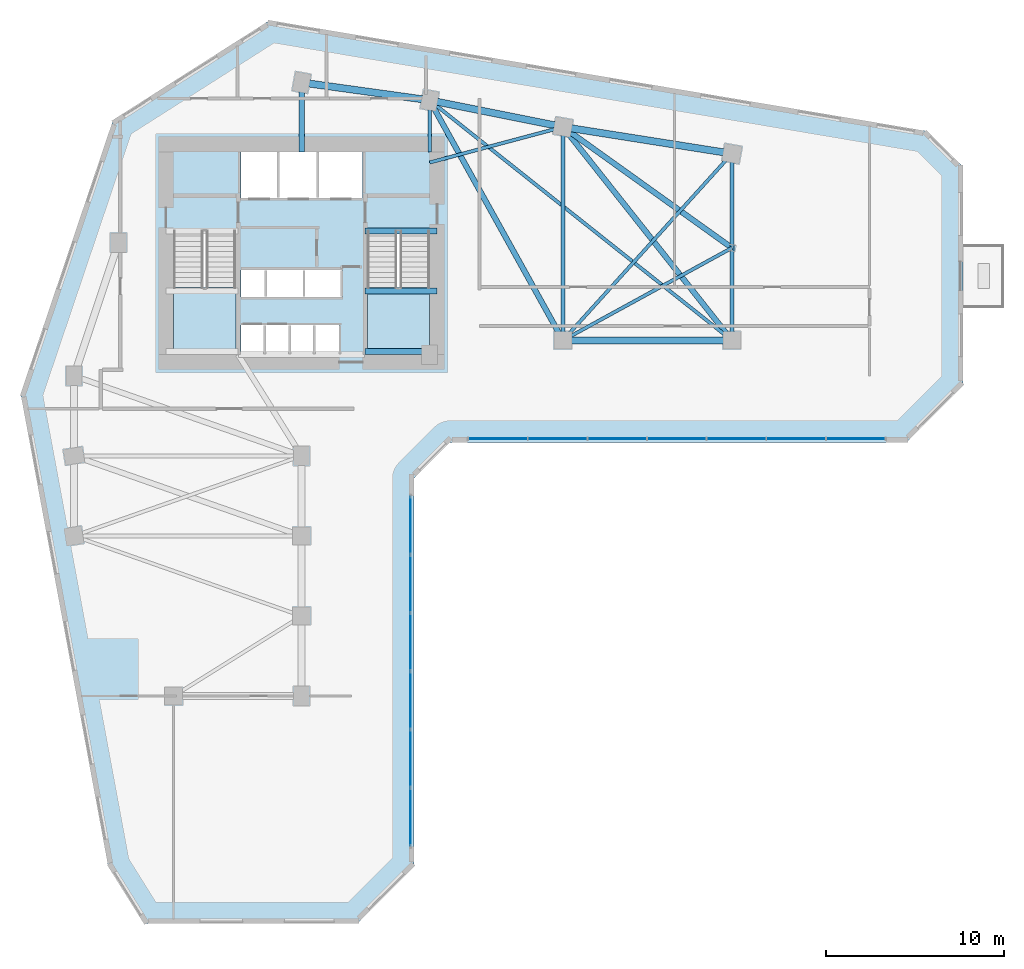
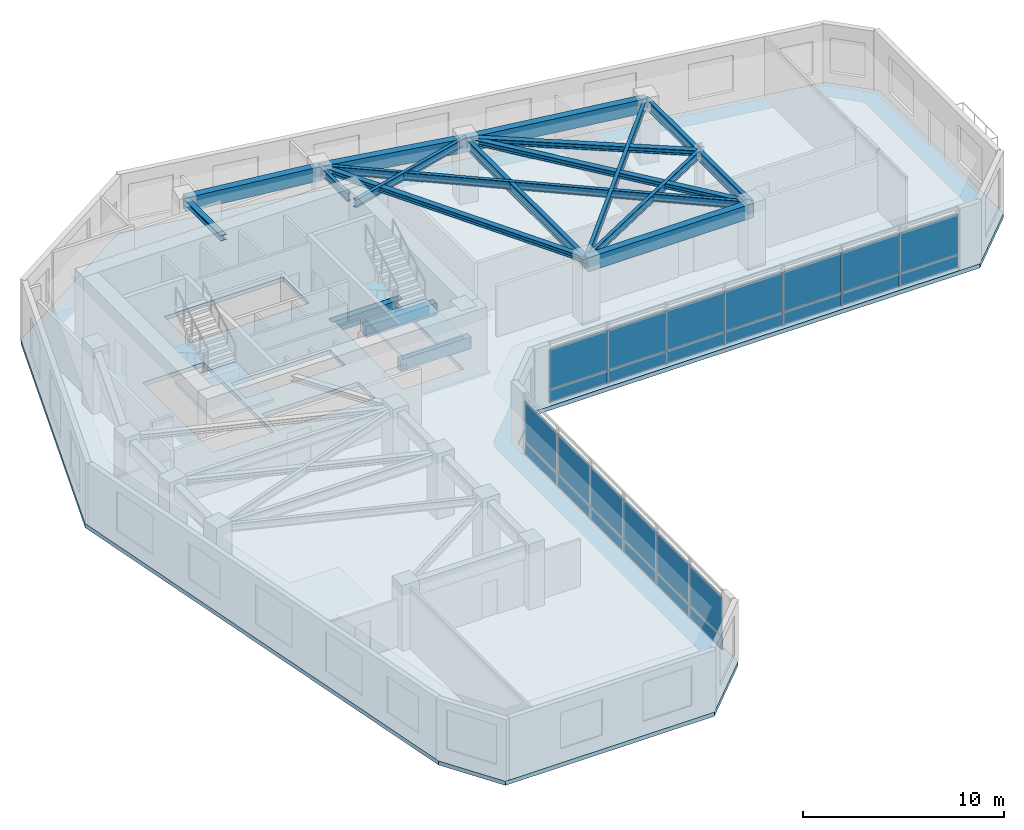
# One storey, part 4 of 11: 26 plates, 18 beams, 3 slabs, 4 elements without a shape of their own.
"""IFC4 building model written with IfcOpenShell, lengths in metres."""

from ifc_helpers import new_model, si_unit, direction, frame, frame_2d, origin, origin_2d, place, context, subcontext, project, spatial, polyline, rectangle, i_section, outline, extrude, source, transform, mapped, material, layer, layer_set, material_profile, profile_set, type_object, element, aggregate, save


model = new_model("IFC4")

# Units and contexts
model_context = context("Model", 3, precision=1e-05, world=origin(), true_north=direction((0.0, 1.0)))
body_context = subcontext(model_context, "Body", "Model", "MODEL_VIEW")
ifc_project = project(units=[si_unit("LENGTHUNIT", "METRE"), si_unit("AREAUNIT", "SQUARE_METRE"), si_unit("VOLUMEUNIT", "CUBIC_METRE"), si_unit("PLANEANGLEUNIT", "RADIAN"), si_unit("MASSUNIT", "GRAM", prefix="KILO")], contexts=[model_context])

# Site, building, storey
site_placement = place(None, origin())
site = spatial("IfcSite", under=ifc_project, at=site_placement, CompositionType="ELEMENT")
building_placement = place(site_placement, origin())
building = spatial("IfcBuilding", under=site, at=building_placement, Name="Calvemar Wedge Station Tower", CompositionType="ELEMENT")
storey_placement = place(building_placement, frame((0.0, 0.0, 31.0)))
storey = spatial("IfcBuildingStorey", under=building, at=storey_placement, Name="L07", CompositionType="ELEMENT", Elevation=31.0)

# Beams
ifc_material_1 = material(Name="Concrete C70", Category="concrete")
ifc_material_profile_1 = material_profile(ifc_material_1, rectangle(XDim=0.35009765625, YDim=0.699951171875, at=origin_2d()), Name="RC350x700")
ifc_profile_set_1 = profile_set([ifc_material_profile_1], Name="Concrete C70")
beam_type_1 = type_object("IfcBeamType", Name="BM-LN1-700", PredefinedType="LINTEL", material=ifc_profile_set_1)
shared_shape_1 = source(origin(), body_context, "Body", "SweptSolid", [
    extrude(rectangle(XDim=0.35009765625, YDim=0.699951171875, at=origin_2d()), origin(), (0.0, 0.0, 1.0), 4.054931640625),
])
for number, where, z_axis, x_axis, name in (
    (1, (27.3701171875, 41.14990234375, -0.35009765625), (1.0, 0.0, 0.0), (0.0, 1.0, 0.0), "Storey L07 Stair ST-C2 Landing Trimmer Beam"),
    (2, (27.3701171875, 34.3798828125, 1.449951171875), (1.0, 0.0, 0.0), (0.0, 1.0, 0.0), "Storey L07 Stair ST-C2 Half-Landing Beam 1A"),
    (3, (27.3701171875, 37.780029296875, 1.449951171875), (1.0, 0.0, 0.0), (0.0, 1.0, 0.0), "Storey L07 Stair ST-C2 Half-Landing Beam 1B"),
):
    element("IfcBeam", number, at=place(storey_placement, frame(where, z_axis=z_axis, x_axis=x_axis)), inside=storey, type_object=beam_type_1, Name=name, PredefinedType="LINTEL", context=body_context, shape_type="MappedRepresentation", body=[
        mapped(shared_shape_1, transform((0.0, 0.0, 0.0), scale=1.0)),
    ])
ifc_material_2 = material(Name="Concrete C60", Category="concrete")
ifc_material_profile_2 = material_profile(ifc_material_2, rectangle(XDim=0.39990234375, YDim=0.85009765625, at=origin_2d()), Name="RC400x850")
ifc_profile_set_2 = profile_set([ifc_material_profile_2], Name="Concrete C60")
beam_type_2 = type_object("IfcBeamType", Name="BM-SP1-850", PredefinedType="SPANDREL", material=ifc_profile_set_2)
shared_shape_2 = source(origin(), body_context, "Body", "SweptSolid", [
    extrude(rectangle(XDim=0.39990234375, YDim=0.85009765625, at=origin_2d()), origin(), (0.0, 0.0, 1.0), 7.26904296875),
])
beam_1_placement = place(storey_placement, frame((23.800048828125, 49.5, 3.324951171875), z_axis=(0.990492146053, -0.13756928657, 0.0), x_axis=(0.13756928657, 0.990492146053, 0.0)))
element("IfcBeam", 4, at=beam_1_placement, inside=storey, type_object=beam_type_2, Name="Storey L07 Spandrel T-N1-T-N2", PredefinedType="SPANDREL", context=body_context, shape_type="MappedRepresentation", body=[
    mapped(shared_shape_2, transform((0.0, 0.0, 0.0), scale=1.0)),
])
shared_shape_3 = source(origin(), body_context, "Body", "SweptSolid", [
    extrude(rectangle(XDim=0.39990234375, YDim=0.85009765625, at=origin_2d()), origin(), (0.0, 0.0, 1.0), 7.6484375),
])
beam_2_placement = place(storey_placement, frame((31.0, 48.5, 3.324951171875), z_axis=(0.980580675691, -0.196116135138, 0.0), x_axis=(0.196116135138, 0.980580675691, 0.0)))
element("IfcBeam", 5, at=beam_2_placement, inside=storey, type_object=beam_type_2, Name="Storey L07 Spandrel T-N2-T-NU3", PredefinedType="SPANDREL", context=body_context, shape_type="MappedRepresentation", body=[
    mapped(shared_shape_3, transform((0.0, 0.0, 0.0), scale=1.0)),
])
shared_shape_4 = source(origin(), body_context, "Body", "SweptSolid", [
    extrude(rectangle(XDim=0.39990234375, YDim=0.85009765625, at=origin_2d()), origin(), (0.0, 0.0, 1.0), 9.61767578125),
])
beam_3_placement = place(storey_placement, frame((38.5, 47.0, 3.324951171875), z_axis=(0.987762965329, -0.155962573473, 0.0), x_axis=(0.155962573473, 0.987762965329, 0.0)))
element("IfcBeam", 6, at=beam_3_placement, inside=storey, type_object=beam_type_2, Name="Storey L07 Spandrel T-NU3-T-NU4", PredefinedType="SPANDREL", context=body_context, shape_type="MappedRepresentation", body=[
    mapped(shared_shape_4, transform((0.0, 0.0, 0.0), scale=1.0)),
])
shared_shape_5 = source(origin(), body_context, "Body", "SweptSolid", [
    extrude(rectangle(XDim=0.39990234375, YDim=0.85009765625, at=origin_2d()), origin(), (0.0, 0.0, 1.0), 9.5),
])
beam_4_placement = place(storey_placement, frame((38.5, 35.0, 3.324951171875), z_axis=(1.0, 0.0, 0.0), x_axis=(0.0, 1.0, 0.0)))
element("IfcBeam", 7, at=beam_4_placement, inside=storey, type_object=beam_type_2, Name="Storey L07 Spandrel T-NL2-T-NL3", PredefinedType="SPANDREL", context=body_context, shape_type="MappedRepresentation", body=[
    mapped(shared_shape_5, transform((0.0, 0.0, 0.0), scale=1.0)),
])
ifc_material_3 = material(Name="Structural steel ASTM A572 Grade 50", Category="steel")
ifc_material_profile_3 = material_profile(ifc_material_3, i_section(OverallWidth=0.22998046875, OverallDepth=0.616943359375, WebThickness=0.01318359375, FlangeThickness=0.022216796875, FilletRadius=0.012939453125, at=origin_2d()), Name="W610x140")
ifc_profile_set_3 = profile_set([ifc_material_profile_3], Name="Structural steel ASTM A572 Grade 50")
beam_type_3 = type_object("IfcBeamType", Name="BM-SB2-W610", PredefinedType="BEAM", material=ifc_profile_set_3)
shared_shape_6 = source(origin(), body_context, "Body", "SweptSolid", [
    extrude(i_section(OverallWidth=0.22998046875, OverallDepth=0.616943359375, WebThickness=0.01318359375, FlangeThickness=0.022216796875, FilletRadius=0.012939453125, at=origin_2d()), origin(), (0.0, 0.0, 1.0), 12.0),
])
beam_5_placement = place(storey_placement, frame((38.5, 47.0, 3.44140625), z_axis=(0.0, -1.0, 0.0), x_axis=(1.0, 0.0, 0.0)))
element("IfcBeam", 8, at=beam_5_placement, inside=storey, type_object=beam_type_3, Name="Storey L07 Floor Beam T-NU3-T-NL2", PredefinedType="BEAM", context=body_context, shape_type="MappedRepresentation", body=[
    mapped(shared_shape_6, transform((0.0, 0.0, 0.0), scale=1.0)),
])
shared_shape_7 = source(origin(), body_context, "Body", "SweptSolid", [
    extrude(i_section(OverallWidth=0.22998046875, OverallDepth=0.616943359375, WebThickness=0.01318359375, FlangeThickness=0.022216796875, FilletRadius=0.012939453125, at=origin_2d()), origin(), (0.0, 0.0, 1.0), 10.5),
])
beam_6_placement = place(storey_placement, frame((48.0, 45.5, 3.44140625), z_axis=(0.0, -1.0, 0.0), x_axis=(1.0, 0.0, 0.0)))
element("IfcBeam", 9, at=beam_6_placement, inside=storey, type_object=beam_type_3, Name="Storey L07 Floor Beam T-NU4-T-NL3", PredefinedType="BEAM", context=body_context, shape_type="MappedRepresentation", body=[
    mapped(shared_shape_7, transform((0.0, 0.0, 0.0), scale=1.0)),
])
ifc_material_profile_4 = material_profile(ifc_material_3, i_section(OverallWidth=0.30908203125, OverallDepth=0.322998046875, WebThickness=0.013916015625, FlangeThickness=0.02294921875, FilletRadius=0.014892578125, at=origin_2d()), Name="W310x143")
ifc_profile_set_4 = profile_set([ifc_material_profile_4], Name="Structural steel ASTM A572 Grade 50")
beam_type_4 = type_object("IfcBeamType", Name="BM-J5-W310H", PredefinedType="JOIST", material=ifc_profile_set_4)
shared_shape_8 = source(origin(), body_context, "Body", "SweptSolid", [
    extrude(i_section(OverallWidth=0.30908203125, OverallDepth=0.322998046875, WebThickness=0.013916015625, FlangeThickness=0.02294921875, FilletRadius=0.014892578125, at=origin_2d()), origin(), (0.0, 0.0, 1.0), 15.443359375),
])
beam_7_placement = place(storey_placement, frame((31.0, 48.5, 3.58837890625), z_axis=(0.485642931179, -0.874157276122, 0.0), x_axis=(0.874157276122, 0.485642931179, 0.0)))
element("IfcBeam", 10, at=beam_7_placement, inside=storey, type_object=beam_type_4, Name="Storey L07 Floor Beam T-N2-T-NL2", PredefinedType="JOIST", context=body_context, shape_type="MappedRepresentation", body=[
    mapped(shared_shape_8, transform((0.0, 0.0, 0.0), scale=1.0)),
])
ifc_material_profile_5 = material_profile(ifc_material_3, i_section(OverallWidth=0.19189453125, OverallDepth=0.462890625, WebThickness=0.010498046875, FlangeThickness=0.017578125, FilletRadius=0.012939453125, at=origin_2d()), Name="W460x89")
ifc_profile_set_5 = profile_set([ifc_material_profile_5], Name="Structural steel ASTM A572 Grade 50")
beam_type_5 = type_object("IfcBeamType", Name="BM-J1-W460", PredefinedType="JOIST", material=ifc_profile_set_5)
shared_shape_9 = source(origin(), body_context, "Body", "SweptSolid", [
    extrude(i_section(OverallWidth=0.19189453125, OverallDepth=0.462890625, WebThickness=0.010498046875, FlangeThickness=0.017578125, FilletRadius=0.012939453125, at=origin_2d()), origin(), (0.0, 0.0, 1.0), 21.708251953125),
])
beam_8_placement = place(storey_placement, frame((31.0, 48.5, 3.5185546875), z_axis=(0.783110847498, -0.621882143602, 0.0), x_axis=(0.621882143602, 0.783110847498, 0.0)))
element("IfcBeam", 11, at=beam_8_placement, inside=storey, type_object=beam_type_5, Name="Storey L07 Floor Beam T-N2-T-NL3", PredefinedType="JOIST", context=body_context, shape_type="MappedRepresentation", body=[
    mapped(shared_shape_9, transform((0.0, 0.0, 0.0), scale=1.0)),
])
shared_shape_10 = source(origin(), body_context, "Body", "SweptSolid", [
    extrude(i_section(OverallWidth=0.30908203125, OverallDepth=0.322998046875, WebThickness=0.013916015625, FlangeThickness=0.02294921875, FilletRadius=0.014892578125, at=origin_2d()), origin(), (0.0, 0.0, 1.0), 15.30517578125),
])
beam_9_placement = place(storey_placement, frame((38.5, 47.0, 3.58837890625), z_axis=(0.620702944366, -0.784045824462, 0.0), x_axis=(0.784045824462, 0.620702944366, 0.0)))
element("IfcBeam", 12, at=beam_9_placement, inside=storey, type_object=beam_type_4, Name="Storey L07 Floor Beam T-NU3-T-NL3", PredefinedType="JOIST", context=body_context, shape_type="MappedRepresentation", body=[
    mapped(shared_shape_10, transform((0.0, 0.0, 0.0), scale=1.0)),
])
shared_shape_11 = source(origin(), body_context, "Body", "SweptSolid", [
    extrude(i_section(OverallWidth=0.19189453125, OverallDepth=0.462890625, WebThickness=0.010498046875, FlangeThickness=0.017578125, FilletRadius=0.012939453125, at=origin_2d()), origin(), (0.0, 0.0, 1.0), 14.159912109375),
])
beam_10_placement = place(storey_placement, frame((38.5, 35.0, 3.5185546875), z_axis=(0.670913323969, 0.741535779124, 0.0), x_axis=(-0.741535779124, 0.670913323969, 0.0)))
element("IfcBeam", 13, at=beam_10_placement, inside=storey, type_object=beam_type_5, Name="Storey L07 Floor Beam T-NL2-T-NU4", PredefinedType="JOIST", context=body_context, shape_type="MappedRepresentation", body=[
    mapped(shared_shape_11, transform((0.0, 0.0, 0.0), scale=1.0)),
])
shared_shape_12 = source(origin(), body_context, "Body", "SweptSolid", [
    extrude(i_section(OverallWidth=0.30908203125, OverallDepth=0.322998046875, WebThickness=0.013916015625, FlangeThickness=0.02294921875, FilletRadius=0.014892578125, at=origin_2d()), origin(), (0.0, 0.0, 1.0), 11.682861328125),
])
beam_11_placement = place(storey_placement, frame((48.0, 40.199951171875, 3.58837890625), z_axis=(-0.81315274409, 0.582050354161, 0.0), x_axis=(-0.582050354161, -0.81315274409, 0.0)))
element("IfcBeam", 14, at=beam_11_placement, inside=storey, type_object=beam_type_4, Name="Storey L07 Floor Beam T-NTIP-A-T-NU3", PredefinedType="JOIST", context=body_context, shape_type="MappedRepresentation", body=[
    mapped(shared_shape_12, transform((0.0, 0.0, 0.0), scale=1.0)),
])
shared_shape_13 = source(origin(), body_context, "Body", "SweptSolid", [
    extrude(i_section(OverallWidth=0.19189453125, OverallDepth=0.462890625, WebThickness=0.010498046875, FlangeThickness=0.017578125, FilletRadius=0.012939453125, at=origin_2d()), origin(), (0.0, 0.0, 1.0), 10.830078125),
])
beam_12_placement = place(storey_placement, frame((48.0, 40.199951171875, 3.5185546875), z_axis=(-0.877190767997, -0.480142017053, 0.0), x_axis=(0.480142017053, -0.877190767997, 0.0)))
element("IfcBeam", 15, at=beam_12_placement, inside=storey, type_object=beam_type_5, Name="Storey L07 Floor Beam T-NTIP-A-T-NL2", PredefinedType="JOIST", context=body_context, shape_type="MappedRepresentation", body=[
    mapped(shared_shape_13, transform((0.0, 0.0, 0.0), scale=1.0)),
])
shared_shape_14 = source(origin(), body_context, "Body", "SweptSolid", [
    extrude(i_section(OverallWidth=0.19189453125, OverallDepth=0.462890625, WebThickness=0.010498046875, FlangeThickness=0.017578125, FilletRadius=0.012939453125, at=origin_2d()), origin(), (0.0, 0.0, 1.0), 7.76220703125),
])
beam_13_placement = place(storey_placement, frame((31.0, 45.0, 3.5185546875), z_axis=(0.966234939601, 0.25766265056, 0.0), x_axis=(-0.25766265056, 0.966234939601, 0.0)))
element("IfcBeam", 16, at=beam_13_placement, inside=storey, type_object=beam_type_5, Name="Storey L07 Core-to-Column Joist CJ-E2", PredefinedType="JOIST", context=body_context, shape_type="MappedRepresentation", body=[
    mapped(shared_shape_14, transform((0.0, 0.0, 0.0), scale=1.0)),
])
shared_shape_15 = source(origin(), body_context, "Body", "SweptSolid", [
    extrude(i_section(OverallWidth=0.30908203125, OverallDepth=0.322998046875, WebThickness=0.013916015625, FlangeThickness=0.02294921875, FilletRadius=0.014892578125, at=origin_2d()), origin(), (0.0, 0.0, 1.0), 3.89990234375),
])
beam_14_placement = place(storey_placement, frame((23.800048828125, 45.60009765625, 3.58837890625), z_axis=(0.0, 1.0, 0.0), x_axis=(-1.0, 0.0, 0.0)))
element("IfcBeam", 17, at=beam_14_placement, inside=storey, type_object=beam_type_4, Name="Storey L07 Core-to-Column Joist CJ-N1", PredefinedType="JOIST", context=body_context, shape_type="MappedRepresentation", body=[
    mapped(shared_shape_15, transform((0.0, 0.0, 0.0), scale=1.0)),
])
shared_shape_16 = source(origin(), body_context, "Body", "SweptSolid", [
    extrude(i_section(OverallWidth=0.19189453125, OverallDepth=0.462890625, WebThickness=0.010498046875, FlangeThickness=0.017578125, FilletRadius=0.012939453125, at=origin_2d()), origin(), (0.0, 0.0, 1.0), 2.89990234375),
])
beam_15_placement = place(storey_placement, frame((31.0, 45.60009765625, 3.5185546875), z_axis=(0.0, 1.0, 0.0), x_axis=(-1.0, 0.0, 0.0)))
element("IfcBeam", 18, at=beam_15_placement, inside=storey, type_object=beam_type_5, Name="Storey L07 Core-to-Column Joist CJ-N2", PredefinedType="JOIST", context=body_context, shape_type="MappedRepresentation", body=[
    mapped(shared_shape_16, transform((0.0, 0.0, 0.0), scale=1.0)),
])

# Curtain wall, plates
ifc_material_4 = material(Name="Anodised aluminium 6063-T6", Category="aluminium")
curtain_wall_type = type_object("IfcCurtainWallType", Name="CW1", PredefinedType="NOTDEFINED", material=ifc_material_4)
curtain_wall_1_placement = place(storey_placement, origin())
curtain_wall_1 = element("IfcCurtainWall", 19, at=curtain_wall_1_placement, inside=storey, type_object=curtain_wall_type, Name="Storey L07 CW1 Recessed Unitised Curtain Wall 4", PredefinedType="NOTDEFINED")
ifc_material_5 = material(Name="Low-E laminated insulated glass", Category="glass")
ifc_layer_1 = layer(ifc_material_5, 0.028076171875)
ifc_layer_set_1 = layer_set([ifc_layer_1], Name="Low-E laminated insulated glass")
plate_type_1 = type_object("IfcPlateType", Name="CW1-GLZ", PredefinedType="CURTAIN_PANEL", material=ifc_layer_set_1)
plate_1_placement = place(storey_placement, frame((29.91796875, 6.580078125, 0.8701171875), z_axis=(0.0, 0.0, 1.0), x_axis=(0.0, 1.0, 0.0)))
plate_1 = element("IfcPlate", 20, at=plate_1_placement, type_object=plate_type_1, Name="CW1 vision glass panel 1", PredefinedType="CURTAIN_PANEL", context=body_context, shape_type="SweptSolid", body=[
    extrude(rectangle(XDim=3.24072265625, YDim=0.028076171875, at=frame_2d((1.620361328125, 0.0))), origin(), (0.0, 0.0, 1.0), 2.409912109375),
])
plate_2_placement = place(storey_placement, frame((29.91796875, 9.856689453125, 0.8701171875), z_axis=(0.0, 0.0, 1.0), x_axis=(0.0, 1.0, 0.0)))
plate_2 = element("IfcPlate", 21, at=plate_2_placement, type_object=plate_type_1, Name="CW1 vision glass panel 2", PredefinedType="CURTAIN_PANEL", context=body_context, shape_type="SweptSolid", body=[
    extrude(rectangle(XDim=3.24072265625, YDim=0.028076171875, at=frame_2d((1.620361328125, 0.0))), origin(), (0.0, 0.0, 1.0), 2.409912109375),
])
plate_3_placement = place(storey_placement, frame((29.91796875, 13.13330078125, 0.8701171875), z_axis=(0.0, 0.0, 1.0), x_axis=(0.0, 1.0, 0.0)))
plate_3 = element("IfcPlate", 22, at=plate_3_placement, type_object=plate_type_1, Name="CW1 vision glass panel 3", PredefinedType="CURTAIN_PANEL", context=body_context, shape_type="SweptSolid", body=[
    extrude(rectangle(XDim=3.24072265625, YDim=0.028076171875, at=frame_2d((1.620361328125, 0.0))), origin(), (0.0, 0.0, 1.0), 2.409912109375),
])
plate_4_placement = place(storey_placement, frame((29.91796875, 16.41015625, 0.8701171875), z_axis=(0.0, 0.0, 1.0), x_axis=(0.0, 1.0, 0.0)))
plate_4 = element("IfcPlate", 23, at=plate_4_placement, type_object=plate_type_1, Name="CW1 vision glass panel 4", PredefinedType="CURTAIN_PANEL", context=body_context, shape_type="SweptSolid", body=[
    extrude(rectangle(XDim=3.24072265625, YDim=0.028076171875, at=frame_2d((1.620361328125, 0.0))), origin(), (0.0, 0.0, 1.0), 2.409912109375),
])
plate_5_placement = place(storey_placement, frame((29.91796875, 19.686767578125, 0.8701171875), z_axis=(0.0, 0.0, 1.0), x_axis=(0.0, 1.0, 0.0)))
plate_5 = element("IfcPlate", 24, at=plate_5_placement, type_object=plate_type_1, Name="CW1 vision glass panel 5", PredefinedType="CURTAIN_PANEL", context=body_context, shape_type="SweptSolid", body=[
    extrude(rectangle(XDim=3.24072265625, YDim=0.028076171875, at=frame_2d((1.620361328125, 0.0))), origin(), (0.0, 0.0, 1.0), 2.409912109375),
])
plate_6_placement = place(storey_placement, frame((29.91796875, 22.96337890625, 0.8701171875), z_axis=(0.0, 0.0, 1.0), x_axis=(0.0, 1.0, 0.0)))
plate_6 = element("IfcPlate", 25, at=plate_6_placement, type_object=plate_type_1, Name="CW1 vision glass panel 6", PredefinedType="CURTAIN_PANEL", context=body_context, shape_type="SweptSolid", body=[
    extrude(rectangle(XDim=3.24072265625, YDim=0.028076171875, at=frame_2d((1.620361328125, 0.0))), origin(), (0.0, 0.0, 1.0), 2.409912109375),
])

curtain_wall_2_placement = place(storey_placement, origin())
curtain_wall_2 = element("IfcCurtainWall", 26, at=curtain_wall_2_placement, inside=storey, type_object=curtain_wall_type, Name="Storey L07 CW1 Recessed Unitised Curtain Wall 6", PredefinedType="NOTDEFINED")
plate_7_placement = place(storey_placement, frame((33.183837890625, 29.469970703125, 0.8701171875), z_axis=(0.0, 0.0, 1.0), x_axis=(1.0, 0.0, 0.0)))
plate_7 = element("IfcPlate", 27, at=plate_7_placement, type_object=plate_type_1, Name="CW1 vision glass panel 1", PredefinedType="CURTAIN_PANEL", context=body_context, shape_type="SweptSolid", body=[
    extrude(rectangle(XDim=3.317138671875, YDim=0.028076171875, at=frame_2d((1.65869140625, 0.0))), origin(), (0.0, 0.0, 1.0), 2.409912109375),
])
plate_8_placement = place(storey_placement, frame((36.537109375, 29.469970703125, 0.8701171875), z_axis=(0.0, 0.0, 1.0), x_axis=(1.0, 0.0, 0.0)))
plate_8 = element("IfcPlate", 28, at=plate_8_placement, type_object=plate_type_1, Name="CW1 vision glass panel 2", PredefinedType="CURTAIN_PANEL", context=body_context, shape_type="SweptSolid", body=[
    extrude(rectangle(XDim=3.317138671875, YDim=0.028076171875, at=frame_2d((1.65869140625, 0.0))), origin(), (0.0, 0.0, 1.0), 2.409912109375),
])
plate_9_placement = place(storey_placement, frame((39.89013671875, 29.469970703125, 0.8701171875), z_axis=(0.0, 0.0, 1.0), x_axis=(1.0, 0.0, 0.0)))
plate_9 = element("IfcPlate", 29, at=plate_9_placement, type_object=plate_type_1, Name="CW1 vision glass panel 3", PredefinedType="CURTAIN_PANEL", context=body_context, shape_type="SweptSolid", body=[
    extrude(rectangle(XDim=3.317138671875, YDim=0.028076171875, at=frame_2d((1.65869140625, 0.0))), origin(), (0.0, 0.0, 1.0), 2.409912109375),
])
plate_10_placement = place(storey_placement, frame((43.243408203125, 29.469970703125, 0.8701171875), z_axis=(0.0, 0.0, 1.0), x_axis=(1.0, 0.0, 0.0)))
plate_10 = element("IfcPlate", 30, at=plate_10_placement, type_object=plate_type_1, Name="CW1 vision glass panel 4", PredefinedType="CURTAIN_PANEL", context=body_context, shape_type="SweptSolid", body=[
    extrude(rectangle(XDim=3.317138671875, YDim=0.028076171875, at=frame_2d((1.65869140625, 0.0))), origin(), (0.0, 0.0, 1.0), 2.409912109375),
])
plate_11_placement = place(storey_placement, frame((46.596435546875, 29.469970703125, 0.8701171875), z_axis=(0.0, 0.0, 1.0), x_axis=(1.0, 0.0, 0.0)))
plate_11 = element("IfcPlate", 31, at=plate_11_placement, type_object=plate_type_1, Name="CW1 vision glass panel 5", PredefinedType="CURTAIN_PANEL", context=body_context, shape_type="SweptSolid", body=[
    extrude(rectangle(XDim=3.317138671875, YDim=0.028076171875, at=frame_2d((1.65869140625, 0.0))), origin(), (0.0, 0.0, 1.0), 2.409912109375),
])
plate_12_placement = place(storey_placement, frame((49.94970703125, 29.469970703125, 0.8701171875), z_axis=(0.0, 0.0, 1.0), x_axis=(1.0, 0.0, 0.0)))
plate_12 = element("IfcPlate", 32, at=plate_12_placement, type_object=plate_type_1, Name="CW1 vision glass panel 6", PredefinedType="CURTAIN_PANEL", context=body_context, shape_type="SweptSolid", body=[
    extrude(rectangle(XDim=3.317138671875, YDim=0.028076171875, at=frame_2d((1.65869140625, 0.0))), origin(), (0.0, 0.0, 1.0), 2.409912109375),
])
plate_13_placement = place(storey_placement, frame((53.302734375, 29.469970703125, 0.8701171875), z_axis=(0.0, 0.0, 1.0), x_axis=(1.0, 0.0, 0.0)))
plate_13 = element("IfcPlate", 33, at=plate_13_placement, type_object=plate_type_1, Name="CW1 vision glass panel 7", PredefinedType="CURTAIN_PANEL", context=body_context, shape_type="SweptSolid", body=[
    extrude(rectangle(XDim=3.317138671875, YDim=0.028076171875, at=frame_2d((1.65869140625, 0.0))), origin(), (0.0, 0.0, 1.0), 2.409912109375),
])

# Plate
ifc_material_6 = material(Name="Oxidized bronze aluminium spandrel panel 5005-H24", Category="aluminium")
ifc_layer_2 = layer(ifc_material_6, 0.0400390625)
ifc_layer_set_2 = layer_set([ifc_layer_2], Name="Oxidized bronze aluminium spandrel panel 5005-H24")
plate_type_2 = type_object("IfcPlateType", Name="CW1-SPD", PredefinedType="SHEET", material=ifc_layer_set_2)
plate_14_placement = place(storey_placement, frame((29.91796875, 6.580078125, 0.080078125), z_axis=(0.0, 0.0, 1.0), x_axis=(0.0, 1.0, 0.0)))
plate_14 = element("IfcPlate", 34, at=plate_14_placement, type_object=plate_type_2, Name="CW1 bronze spandrel panel 1", PredefinedType="SHEET", context=body_context, shape_type="SweptSolid", body=[
    extrude(rectangle(XDim=3.24072265625, YDim=0.0400390625, at=frame_2d((1.620361328125, 0.0))), origin(), (0.0, 0.0, 1.0), 0.75),
])

plate_15_placement = place(storey_placement, frame((29.91796875, 9.856689453125, 0.080078125), z_axis=(0.0, 0.0, 1.0), x_axis=(0.0, 1.0, 0.0)))
plate_15 = element("IfcPlate", 35, at=plate_15_placement, type_object=plate_type_2, Name="CW1 bronze spandrel panel 2", PredefinedType="SHEET", context=body_context, shape_type="SweptSolid", body=[
    extrude(rectangle(XDim=3.24072265625, YDim=0.0400390625, at=frame_2d((1.620361328125, 0.0))), origin(), (0.0, 0.0, 1.0), 0.75),
])

plate_16_placement = place(storey_placement, frame((29.91796875, 13.13330078125, 0.080078125), z_axis=(0.0, 0.0, 1.0), x_axis=(0.0, 1.0, 0.0)))
plate_16 = element("IfcPlate", 36, at=plate_16_placement, type_object=plate_type_2, Name="CW1 bronze spandrel panel 3", PredefinedType="SHEET", context=body_context, shape_type="SweptSolid", body=[
    extrude(rectangle(XDim=3.24072265625, YDim=0.0400390625, at=frame_2d((1.620361328125, 0.0))), origin(), (0.0, 0.0, 1.0), 0.75),
])

plate_17_placement = place(storey_placement, frame((29.91796875, 16.41015625, 0.080078125), z_axis=(0.0, 0.0, 1.0), x_axis=(0.0, 1.0, 0.0)))
plate_17 = element("IfcPlate", 37, at=plate_17_placement, type_object=plate_type_2, Name="CW1 bronze spandrel panel 4", PredefinedType="SHEET", context=body_context, shape_type="SweptSolid", body=[
    extrude(rectangle(XDim=3.24072265625, YDim=0.0400390625, at=frame_2d((1.620361328125, 0.0))), origin(), (0.0, 0.0, 1.0), 0.75),
])

plate_18_placement = place(storey_placement, frame((29.91796875, 19.686767578125, 0.080078125), z_axis=(0.0, 0.0, 1.0), x_axis=(0.0, 1.0, 0.0)))
plate_18 = element("IfcPlate", 38, at=plate_18_placement, type_object=plate_type_2, Name="CW1 bronze spandrel panel 5", PredefinedType="SHEET", context=body_context, shape_type="SweptSolid", body=[
    extrude(rectangle(XDim=3.24072265625, YDim=0.0400390625, at=frame_2d((1.620361328125, 0.0))), origin(), (0.0, 0.0, 1.0), 0.75),
])

plate_19_placement = place(storey_placement, frame((29.91796875, 22.96337890625, 0.080078125), z_axis=(0.0, 0.0, 1.0), x_axis=(0.0, 1.0, 0.0)))
plate_19 = element("IfcPlate", 39, at=plate_19_placement, type_object=plate_type_2, Name="CW1 bronze spandrel panel 6", PredefinedType="SHEET", context=body_context, shape_type="SweptSolid", body=[
    extrude(rectangle(XDim=3.24072265625, YDim=0.0400390625, at=frame_2d((1.620361328125, 0.0))), origin(), (0.0, 0.0, 1.0), 0.75),
])

aggregate(curtain_wall_1, [plate_14, plate_1, plate_15, plate_2, plate_16, plate_3, plate_17, plate_4, plate_18, plate_5, plate_19, plate_6])

plate_20_placement = place(storey_placement, frame((33.183837890625, 29.469970703125, 0.080078125), z_axis=(0.0, 0.0, 1.0), x_axis=(1.0, 0.0, 0.0)))
plate_20 = element("IfcPlate", 40, at=plate_20_placement, type_object=plate_type_2, Name="CW1 bronze spandrel panel 1", PredefinedType="SHEET", context=body_context, shape_type="SweptSolid", body=[
    extrude(rectangle(XDim=3.317138671875, YDim=0.0400390625, at=frame_2d((1.65869140625, 0.0))), origin(), (0.0, 0.0, 1.0), 0.75),
])

plate_21_placement = place(storey_placement, frame((36.537109375, 29.469970703125, 0.080078125), z_axis=(0.0, 0.0, 1.0), x_axis=(1.0, 0.0, 0.0)))
plate_21 = element("IfcPlate", 41, at=plate_21_placement, type_object=plate_type_2, Name="CW1 bronze spandrel panel 2", PredefinedType="SHEET", context=body_context, shape_type="SweptSolid", body=[
    extrude(rectangle(XDim=3.317138671875, YDim=0.0400390625, at=frame_2d((1.65869140625, 0.0))), origin(), (0.0, 0.0, 1.0), 0.75),
])

plate_22_placement = place(storey_placement, frame((39.89013671875, 29.469970703125, 0.080078125), z_axis=(0.0, 0.0, 1.0), x_axis=(1.0, 0.0, 0.0)))
plate_22 = element("IfcPlate", 42, at=plate_22_placement, type_object=plate_type_2, Name="CW1 bronze spandrel panel 3", PredefinedType="SHEET", context=body_context, shape_type="SweptSolid", body=[
    extrude(rectangle(XDim=3.317138671875, YDim=0.0400390625, at=frame_2d((1.65869140625, 0.0))), origin(), (0.0, 0.0, 1.0), 0.75),
])

plate_23_placement = place(storey_placement, frame((43.243408203125, 29.469970703125, 0.080078125), z_axis=(0.0, 0.0, 1.0), x_axis=(1.0, 0.0, 0.0)))
plate_23 = element("IfcPlate", 43, at=plate_23_placement, type_object=plate_type_2, Name="CW1 bronze spandrel panel 4", PredefinedType="SHEET", context=body_context, shape_type="SweptSolid", body=[
    extrude(rectangle(XDim=3.317138671875, YDim=0.0400390625, at=frame_2d((1.65869140625, 0.0))), origin(), (0.0, 0.0, 1.0), 0.75),
])

plate_24_placement = place(storey_placement, frame((46.596435546875, 29.469970703125, 0.080078125), z_axis=(0.0, 0.0, 1.0), x_axis=(1.0, 0.0, 0.0)))
plate_24 = element("IfcPlate", 44, at=plate_24_placement, type_object=plate_type_2, Name="CW1 bronze spandrel panel 5", PredefinedType="SHEET", context=body_context, shape_type="SweptSolid", body=[
    extrude(rectangle(XDim=3.317138671875, YDim=0.0400390625, at=frame_2d((1.65869140625, 0.0))), origin(), (0.0, 0.0, 1.0), 0.75),
])

plate_25_placement = place(storey_placement, frame((49.94970703125, 29.469970703125, 0.080078125), z_axis=(0.0, 0.0, 1.0), x_axis=(1.0, 0.0, 0.0)))
plate_25 = element("IfcPlate", 45, at=plate_25_placement, type_object=plate_type_2, Name="CW1 bronze spandrel panel 6", PredefinedType="SHEET", context=body_context, shape_type="SweptSolid", body=[
    extrude(rectangle(XDim=3.317138671875, YDim=0.0400390625, at=frame_2d((1.65869140625, 0.0))), origin(), (0.0, 0.0, 1.0), 0.75),
])

plate_26_placement = place(storey_placement, frame((53.302734375, 29.469970703125, 0.080078125), z_axis=(0.0, 0.0, 1.0), x_axis=(1.0, 0.0, 0.0)))
plate_26 = element("IfcPlate", 46, at=plate_26_placement, type_object=plate_type_2, Name="CW1 bronze spandrel panel 7", PredefinedType="SHEET", context=body_context, shape_type="SweptSolid", body=[
    extrude(rectangle(XDim=3.317138671875, YDim=0.0400390625, at=frame_2d((1.65869140625, 0.0))), origin(), (0.0, 0.0, 1.0), 0.75),
])

aggregate(curtain_wall_2, [plate_20, plate_7, plate_21, plate_8, plate_22, plate_9, plate_23, plate_10, plate_24, plate_11, plate_25, plate_12, plate_26, plate_13])

# Stair, slab
ifc_material_7 = material(Name="Concrete C45", Category="concrete")
stair_type = type_object("IfcStairType", Name="ST-TYPE-4000", PredefinedType="HALF_TURN_STAIR", material=ifc_material_7)
stair_1_placement = place(storey_placement, origin())
stair_1 = element("IfcStair", 47, at=stair_1_placement, inside=storey, type_object=stair_type, Name="L07 Pressurized Core Exit Stair ST-C1", PredefinedType="HALF_TURN_STAIR")
ifc_layer_3 = layer(ifc_material_7, 0.199951171875)
ifc_layer_set_3 = layer_set([ifc_layer_3], Name="Concrete C45")
slab_type_1 = type_object("IfcSlabType", Name="SL-STAIR-LND-200", PredefinedType="LANDING", material=ifc_layer_set_3)
slab_1_placement = place(storey_placement, frame((0.0, 0.0, 1.800048828125)))
slab_1 = element("IfcSlab", 48, at=slab_1_placement, type_object=slab_type_1, Name="ST-C1 landing 1", PredefinedType="LANDING", context=body_context, shape_type="SweptSolid", body=[
    extrude(outline(polyline([(16.60009765625, 37.9599609375), (16.60009765625, 34.199951171875), (20.10009765625, 34.199951171875), (20.10009765625, 37.9599609375), (16.60009765625, 37.9599609375)])), origin(), (0.0, 0.0, 1.0), 0.199951171875),
])
aggregate(stair_1, [slab_1])

stair_2_placement = place(storey_placement, origin())
stair_2 = element("IfcStair", 49, at=stair_2_placement, inside=storey, type_object=stair_type, Name="L07 Pressurized Core Exit Stair ST-C2", PredefinedType="HALF_TURN_STAIR")
slab_2_placement = place(storey_placement, frame((0.0, 0.0, 1.800048828125)))
slab_2 = element("IfcSlab", 50, at=slab_2_placement, type_object=slab_type_1, Name="ST-C2 landing 1", PredefinedType="LANDING", context=body_context, shape_type="SweptSolid", body=[
    extrude(outline(polyline([(27.5, 37.9599609375), (27.5, 34.199951171875), (31.0, 34.199951171875), (31.0, 37.9599609375), (27.5, 37.9599609375)])), origin(), (0.0, 0.0, 1.0), 0.199951171875),
])
aggregate(stair_2, [slab_2])

# Slab
ifc_material_8 = material(Name="Concrete C50", Category="concrete")
ifc_layer_4 = layer(ifc_material_8, 0.25)
ifc_layer_set_4 = layer_set([ifc_layer_4], Name="Concrete C50")
slab_type_2 = type_object("IfcSlabType", Name="SL-TYP-250", PredefinedType="FLOOR", material=ifc_layer_set_4)
slab_3_placement = place(storey_placement, frame((0.0, 0.0, -0.25)))
element("IfcSlab", 51, at=slab_3_placement, inside=storey, type_object=slab_type_2, Name="Storey L07 Structural Floor Slab", PredefinedType="FLOOR", context=body_context, shape_type="SweptSolid", body=[
    extrude(outline(polyline([(8.0, 32.0), (12.927978515625, 5.39990234375), (14.927978515625, 2.199951171875), (26.927978515625, 2.199951171875), (30.1279296875, 5.39990234375), (30.1279296875, 27.260009765625), (32.1279296875, 29.260009765625), (57.800048828125, 29.260009765625), (61.0, 32.4599609375), (61.0, 44.760009765625), (59.0, 46.760009765625), (22.0, 53.0), (13.199951171875, 47.39990234375), (8.0, 32.0)]), holes=[polyline([(21.739990234375, 35.85009765625), (21.72998046875, 35.85009765625), (20.3798828125, 35.85009765625), (20.3798828125, 34.219970703125), (21.72998046875, 34.219970703125), (21.739990234375, 34.219970703125), (23.1201171875, 34.219970703125), (23.1298828125, 34.219970703125), (24.510009765625, 34.219970703125), (24.52001953125, 34.219970703125), (25.909912109375, 34.219970703125), (25.909912109375, 35.85009765625), (24.52001953125, 35.85009765625), (24.510009765625, 35.85009765625), (23.1298828125, 35.85009765625), (23.1201171875, 35.85009765625), (21.739990234375, 35.85009765625)]), polyline([(16.60009765625, 41.14990234375), (16.60009765625, 34.199951171875), (20.10009765625, 34.199951171875), (20.10009765625, 41.14990234375), (16.60009765625, 41.14990234375)]), polyline([(27.5, 34.199951171875), (31.0, 34.199951171875), (31.0, 41.14990234375), (27.5, 41.14990234375), (27.5, 34.199951171875)]), polyline([(21.7900390625, 37.449951171875), (21.800048828125, 37.449951171875), (23.929931640625, 37.449951171875), (23.93994140625, 37.449951171875), (26.080078125, 37.449951171875), (26.080078125, 38.949951171875), (23.93994140625, 38.949951171875), (23.929931640625, 38.949951171875), (21.800048828125, 38.949951171875), (21.7900390625, 38.949951171875), (20.3798828125, 38.949951171875), (20.3798828125, 37.449951171875), (21.7900390625, 37.449951171875)]), polyline([(20.3798828125, 43.0), (27.219970703125, 43.0), (27.219970703125, 45.580078125), (20.3798828125, 45.580078125), (20.3798828125, 43.0)])]), origin(), (0.0, 0.0, 1.0), 0.25),
])

save(model, "model.ifc")
